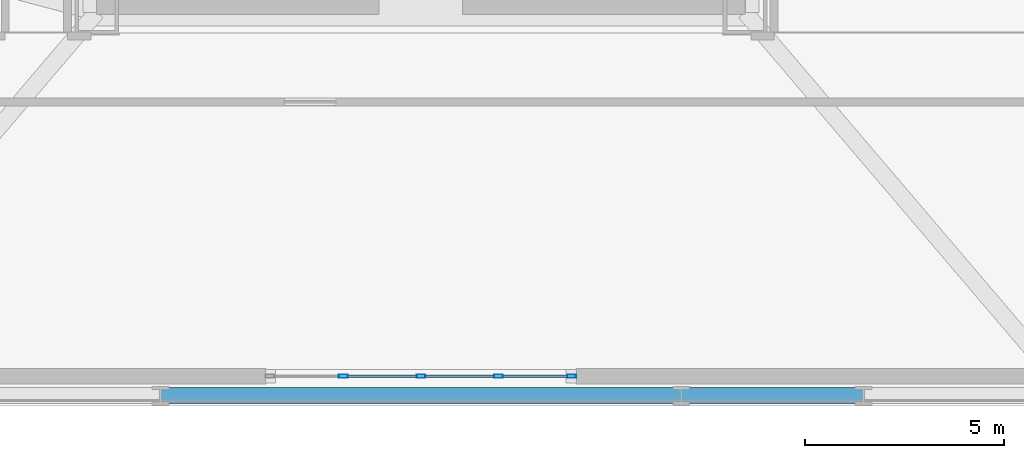
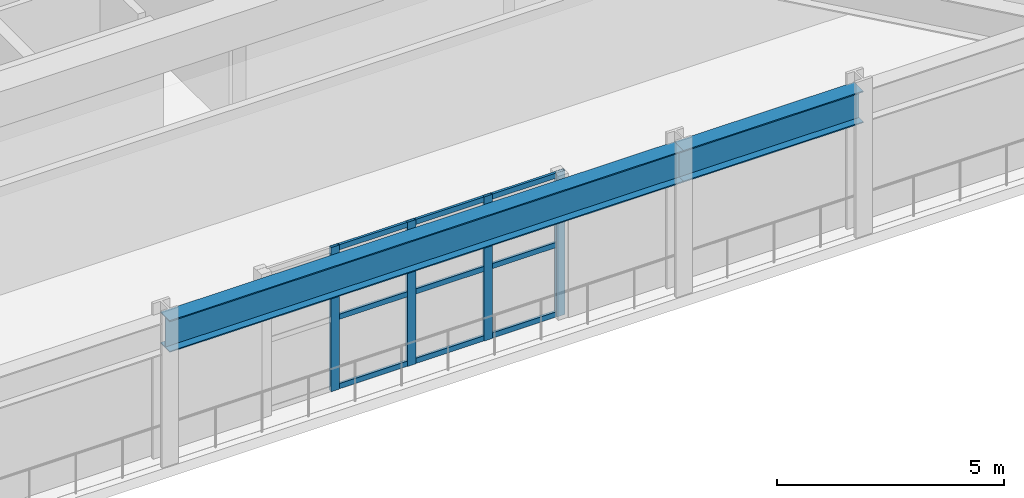
# One storey, part 4 of 22: 13 members, 2 beams, 1 element without a shape of its own.
"""IFC4 building model written with IfcOpenShell, lengths in metres."""

import ifcopenshell
import ifcopenshell.guid

model = None  # the IFC model being written
_history = None  # IfcOwnerHistory: only IFC2X3 demands one
_inside = {}  # id of a spatial element -> (the spatial element, [elements in it])
_under = {}  # id of a project, library or spatial element -> (it, [spatial elements below it])
_declared = {}  # id of a project -> (the project, [libraries it declares])
_typed = {}  # id of a type object -> (the type object, [elements of that type])
_made_of = {}  # id of a material, layer set ... -> (it, [elements and type objects made of it])


def new_model(schema):
    """Start an empty IFC model of exactly this schema.

    Asked for "IFC4X3", IfcOpenShell would pick the latest addendum, in which some entities
    have other attributes; the version numbers below select the first issue.
    IFC2X3 requires an IfcOwnerHistory on every rooted entity: one is made here for all.
    """
    global model, _history
    if schema == "IFC4X3":
        model = ifcopenshell.file(schema_version=(4, 3, 0, 0))
    else:
        model = ifcopenshell.file(schema=schema)
    _inside.clear()
    _under.clear()
    _declared.clear()
    _typed.clear()
    _made_of.clear()
    _history = None
    if model.schema == "IFC2X3":
        org = make("IfcOrganization", Name="unknown")
        user = make(
            "IfcPersonAndOrganization",
            ThePerson=make("IfcPerson", FamilyName="unknown"),
            TheOrganization=org,
        )
        app = make(
            "IfcApplication",
            ApplicationDeveloper=org,
            Version="unknown",
            ApplicationFullName="unknown",
            ApplicationIdentifier="unknown",
        )
        _history = make(
            "IfcOwnerHistory",
            OwningUser=user,
            OwningApplication=app,
            ChangeAction="ADDED",
            CreationDate=0,
        )
    return model


def make(cls, **values):
    """One entity of the class cls with the attributes given. An attribute that is None is left unset."""
    return model.create_entity(
        cls, **{name: value for name, value in values.items() if value is not None}
    )


def rooted(cls, **values):
    """An entity with a GlobalId (a new one), such as an element, a storey or a relation."""
    return make(cls, GlobalId=ifcopenshell.guid.new(), OwnerHistory=_history, **values)


def si_unit(unit_type, name, prefix=None):
    """IfcSIUnit, for example si_unit("LENGTHUNIT", "METRE", prefix="MILLI")."""
    return make("IfcSIUnit", UnitType=unit_type, Prefix=prefix, Name=name)


def assignment(units):
    """IfcUnitAssignment: the units of a project."""
    return None if units is None else make("IfcUnitAssignment", Units=units)


def point(xyz):
    """IfcCartesianPoint."""
    return None if xyz is None else make("IfcCartesianPoint", Coordinates=xyz)


def direction(xyz):
    """IfcDirection."""
    return None if xyz is None else make("IfcDirection", DirectionRatios=xyz)


def frame(location, z_axis=None, x_axis=None):
    """IfcAxis2Placement3D, a coordinate frame: its origin and axes. An axis left out is left unset."""
    return make(
        "IfcAxis2Placement3D",
        Location=point(location),
        Axis=direction(z_axis),
        RefDirection=direction(x_axis),
    )


def frame_2d(location, x_axis=None):
    """IfcAxis2Placement2D, a coordinate frame in the plane: its origin and x axis."""
    return make(
        "IfcAxis2Placement2D", Location=point(location), RefDirection=direction(x_axis)
    )


def origin():
    """The frame at (0, 0, 0) with its axes left unset."""
    return frame((0.0, 0.0, 0.0))


def origin_2d():
    """The frame at (0, 0) in the plane with its x axis left unset."""
    return frame_2d((0.0, 0.0))


def place(relative_to, where):
    """IfcLocalPlacement: puts the frame where relative to a parent placement (None: the world)."""
    return make(
        "IfcLocalPlacement", PlacementRelTo=relative_to, RelativePlacement=where
    )


def context(
    kind, dimensions, precision=None, world=None, true_north=None, identifier=None
):
    """IfcGeometricRepresentationContext, for example the 3D "Model" context."""
    return make(
        "IfcGeometricRepresentationContext",
        ContextIdentifier=identifier,
        ContextType=kind,
        CoordinateSpaceDimension=dimensions,
        Precision=precision,
        WorldCoordinateSystem=world,
        TrueNorth=true_north,
    )


def subcontext(parent, identifier, kind, view, scale=None):
    """IfcGeometricRepresentationSubContext, for example "Body" below "Model"."""
    return make(
        "IfcGeometricRepresentationSubContext",
        ContextIdentifier=identifier,
        ContextType=kind,
        ParentContext=parent,
        TargetScale=scale,
        TargetView=view,
    )


def project(units=None, contexts=None):
    """IfcProject with its units and contexts."""
    return rooted(
        "IfcProject",
        Name="project",
        RepresentationContexts=contexts,
        UnitsInContext=assignment(units),
    )


def spatial(cls, under=None, at=None, **own):
    """A site, building, storey or space (cls), placed at a placement, below another one or the project."""
    s = rooted(cls, ObjectPlacement=at, **own)
    if under is not None:
        _under.setdefault(under.id(), (under, []))[1].append(s)
    return s


def profile(cls, at=None, kind="AREA", **sizes):
    """A parametric profile (cls). Its sizes go by their IFC names, for example OverallWidth=200.0."""
    return make(cls, ProfileType=kind, Position=at, **sizes)


def hollow_rectangle(**sizes):
    """IfcRectangleHollowProfileDef."""
    return profile("IfcRectangleHollowProfileDef", **sizes)


def i_section(**sizes):
    """IfcIShapeProfileDef."""
    return profile("IfcIShapeProfileDef", **sizes)


def extrude(swept, where, along, depth):
    """IfcExtrudedAreaSolid: the profile swept, set in the frame where, extruded along a direction by depth."""
    return make(
        "IfcExtrudedAreaSolid",
        SweptArea=swept,
        Position=where,
        ExtrudedDirection=direction(along),
        Depth=depth,
    )


def shape(context_of_items, identifier, shape_type, items):
    """IfcShapeRepresentation: the items that make up one representation, for example the "Body"."""
    return make(
        "IfcShapeRepresentation",
        ContextOfItems=context_of_items,
        RepresentationIdentifier=identifier,
        RepresentationType=shape_type,
        Items=items,
    )


def material(Name=None, Category=None):
    """IfcMaterial."""
    return make("IfcMaterial", Name=Name, Category=Category)


def layer(
    of_material, thickness, ventilated=None, Name=None, Category=None, Priority=None
):
    """IfcMaterialLayer: one layer of a wall or slab, of a material (None: an air gap)."""
    return make(
        "IfcMaterialLayer",
        Material=of_material,
        LayerThickness=thickness,
        IsVentilated=ventilated,
        Name=Name,
        Category=Category,
        Priority=Priority,
    )


def layer_set(layers, Name=None):
    """IfcMaterialLayerSet."""
    return make("IfcMaterialLayerSet", MaterialLayers=layers, LayerSetName=Name)


def material_profile(
    of_material, cross_section, Name=None, Category=None, Priority=None
):
    """IfcMaterialProfile: a cross section and its material."""
    return make(
        "IfcMaterialProfile",
        Name=Name,
        Material=of_material,
        Profile=cross_section,
        Priority=Priority,
        Category=Category,
    )


def profile_set(profiles, Name=None, composite=None):
    """IfcMaterialProfileSet."""
    return make(
        "IfcMaterialProfileSet",
        Name=Name,
        MaterialProfiles=profiles,
        CompositeProfile=composite,
    )


def made_of(thing, what):
    """Note that an element or type object is made of a material, layer set ...; save() writes the relation."""
    if what is not None:
        _made_of.setdefault(what.id(), (what, []))[1].append(thing)
    return thing


def type_object(cls, material=None, **own):
    """A type object (cls), such as IfcWallType, which elements share."""
    return made_of(rooted(cls, **own), material)


def element(
    cls,
    number,
    at=None,
    inside=None,
    cuts=None,
    type_object=None,
    material=None,
    context=None,
    identifier="Body",
    shape_type=None,
    held_by="IfcProductDefinitionShape",
    body=None,
    shapes=None,
    **own,
):
    """One element of the class cls, such as IfcWall. Its Tag is "e" and its number.

    at: its placement. inside: the storey or other place that contains it. cuts: it is an
    opening in that element (IfcRelVoidsElement). A single representation is given by context,
    identifier, shape_type and body (its items); several are given by shapes. held_by: the class
    of the entity that holds the representations. save() writes the other relations.
    """
    e = rooted(cls, Tag="e%d" % number, ObjectPlacement=at, **own)
    if body is not None:
        shapes = [shape(context, identifier, shape_type, body)]
    if shapes is not None:
        e.Representation = make(held_by, Representations=shapes)
    if inside is not None:
        _inside.setdefault(inside.id(), (inside, []))[1].append(e)
    if cuts is not None:
        rooted(
            "IfcRelVoidsElement", RelatingBuildingElement=cuts, RelatedOpeningElement=e
        )
    if type_object is not None:
        _typed.setdefault(type_object.id(), (type_object, []))[1].append(e)
    return made_of(e, material)


def aggregate(whole, parts):
    """IfcRelAggregates: a whole, such as a stair, and the parts it consists of."""
    return rooted("IfcRelAggregates", RelatingObject=whole, RelatedObjects=parts)


def save(model, path):
    """Write the relations noted so far, then the file.

    IfcRelAggregates (storeys below a building ...), IfcRelContainedInSpatialStructure (elements
    in a storey), IfcRelDefinesByType, IfcRelAssociatesMaterial and IfcRelDeclares: one each for
    every whole, place, type object, material and project.
    """
    for whole, parts in _under.values():
        aggregate(whole, parts)
    for where, things in _inside.values():
        rooted(
            "IfcRelContainedInSpatialStructure",
            RelatedElements=things,
            RelatingStructure=where,
        )
    for kind, things in _typed.values():
        rooted("IfcRelDefinesByType", RelatedObjects=things, RelatingType=kind)
    for what, things in _made_of.values():
        rooted("IfcRelAssociatesMaterial", RelatedObjects=things, RelatingMaterial=what)
    for by, libraries in _declared.values():
        rooted("IfcRelDeclares", RelatingContext=by, RelatedDefinitions=libraries)
    model.write(path)


model = new_model("IFC4")

# Units and contexts
model_context = context("Model", 3, precision=1e-05, world=origin(), true_north=direction((0.0, 1.0)))
body_context = subcontext(model_context, "Body", "Model", "MODEL_VIEW")
ifc_project = project(units=[si_unit("LENGTHUNIT", "METRE"), si_unit("AREAUNIT", "SQUARE_METRE"), si_unit("VOLUMEUNIT", "CUBIC_METRE"), si_unit("PLANEANGLEUNIT", "RADIAN"), si_unit("MASSUNIT", "GRAM", prefix="KILO")], contexts=[model_context])

# Site, building, storey
site_placement = place(None, origin())
site = spatial("IfcSite", under=ifc_project, at=site_placement, CompositionType="ELEMENT")
building_placement = place(site_placement, origin())
building = spatial("IfcBuilding", under=site, at=building_placement, Name="Oramaril Tower", CompositionType="ELEMENT")
storey_placement = place(building_placement, frame((0.0, 0.0, 18.300048828125)))
storey = spatial("IfcBuildingStorey", under=building, at=storey_placement, Name="L04", CompositionType="ELEMENT", Elevation=18.300048828125)

# Beams
ifc_material_1 = material(Name="Steel ASTM A572 Gr 50", Category="steel")
ifc_material_profile_1 = material_profile(ifc_material_1, i_section(OverallWidth=0.40087890625, OverallDepth=0.85595703125, WebThickness=0.018310546875, FlangeThickness=0.029296875, at=origin_2d()), Name="W33X201")
ifc_profile_set_1 = profile_set([ifc_material_profile_1], Name="Steel ASTM A572 Gr 50")
beam_type = type_object("IfcBeamType", Name="BT-SP1", PredefinedType="SPANDREL", material=ifc_profile_set_1)
beam_1_placement = place(storey_placement, frame((30.955078125, 1.360107421875, 3.451904296875), z_axis=(1.0, 0.0, 0.0), x_axis=(0.0, 1.0, 0.0)))
element("IfcBeam", 1, at=beam_1_placement, inside=storey, type_object=beam_type, Name="L04 Perimeter Spandrel 04", PredefinedType="SPANDREL", context=body_context, shape_type="SweptSolid", body=[
    extrude(i_section(OverallWidth=0.40087890625, OverallDepth=0.85595703125, WebThickness=0.018310546875, FlangeThickness=0.029296875, at=origin_2d()), origin(), (0.0, 0.0, 1.0), 13.08984375),
])
beam_2_placement = place(storey_placement, frame((44.044921875, 1.360107421875, 3.451904296875), z_axis=(1.0, 0.0, 0.0), x_axis=(0.0, 1.0, 0.0)))
element("IfcBeam", 2, at=beam_2_placement, inside=storey, type_object=beam_type, Name="L04 Perimeter Spandrel 05", PredefinedType="SPANDREL", context=body_context, shape_type="SweptSolid", body=[
    extrude(i_section(OverallWidth=0.40087890625, OverallDepth=0.85595703125, WebThickness=0.018310546875, FlangeThickness=0.029296875, at=origin_2d()), origin(), (0.0, 0.0, 1.0), 4.581298828125),
])

# Curtain wall, members
ifc_material_2 = material(Name="Anodised Aluminium 6063-T6", Category="aluminium")
ifc_layer = layer(ifc_material_2, 0.219970703125)
ifc_layer_set = layer_set([ifc_layer], Name="CWT-SYS2")
curtain_wall_type = type_object("IfcCurtainWallType", Name="CWT-SYS2", PredefinedType="NOTDEFINED", material=ifc_layer_set)
curtain_wall_placement = place(storey_placement, origin())
curtain_wall = element("IfcCurtainWall", 3, at=curtain_wall_placement, inside=storey, type_object=curtain_wall_type, Name="L04 Unitised Curtain Wall CW-2", PredefinedType="NOTDEFINED")
ifc_material_3 = material(Name="Anodised Aluminium 6063-T6", Category="aluminium")
ifc_material_profile_2 = material_profile(ifc_material_3, hollow_rectangle(XDim=0.080078125, YDim=0.219970703125, WallThickness=0.00390625, at=origin_2d()), Name="CWM220X80")
ifc_profile_set_2 = profile_set([ifc_material_profile_2], Name="Anodised Aluminium 6063-T6")
member_type_1 = type_object("IfcMemberType", Name="MT-CWM1", PredefinedType="MULLION", material=ifc_profile_set_2)
member_1_placement = place(storey_placement, frame((35.550048828125, 1.85009765625, 0.0), z_axis=(0.0, 0.0, 1.0), x_axis=(0.0, 1.0, 0.0)))
member_1 = element("IfcMember", 4, at=member_1_placement, type_object=member_type_1, Name="CW-2 mullion 2", PredefinedType="MULLION", context=body_context, shape_type="SweptSolid", body=[
    extrude(hollow_rectangle(XDim=0.080078125, YDim=0.219970703125, WallThickness=0.00390625, at=origin_2d()), origin(), (0.0, 0.0, 1.0), 3.8798828125),
])
member_2_placement = place(storey_placement, frame((37.5, 1.85009765625, 0.0), z_axis=(0.0, 0.0, 1.0), x_axis=(0.0, 1.0, 0.0)))
member_2 = element("IfcMember", 5, at=member_2_placement, type_object=member_type_1, Name="CW-2 mullion 3", PredefinedType="MULLION", context=body_context, shape_type="SweptSolid", body=[
    extrude(hollow_rectangle(XDim=0.080078125, YDim=0.219970703125, WallThickness=0.00390625, at=origin_2d()), origin(), (0.0, 0.0, 1.0), 3.8798828125),
])
member_3_placement = place(storey_placement, frame((39.449951171875, 1.85009765625, 0.0), z_axis=(0.0, 0.0, 1.0), x_axis=(0.0, 1.0, 0.0)))
member_3 = element("IfcMember", 6, at=member_3_placement, type_object=member_type_1, Name="CW-2 mullion 4", PredefinedType="MULLION", context=body_context, shape_type="SweptSolid", body=[
    extrude(hollow_rectangle(XDim=0.080078125, YDim=0.219970703125, WallThickness=0.00390625, at=origin_2d()), origin(), (0.0, 0.0, 1.0), 3.8798828125),
])
member_4_placement = place(storey_placement, frame((41.2900390625, 1.85009765625, 0.0), z_axis=(0.0, 0.0, 1.0), x_axis=(0.0, 1.0, 0.0)))
member_4 = element("IfcMember", 7, at=member_4_placement, type_object=member_type_1, Name="CW-2 mullion 5", PredefinedType="MULLION", context=body_context, shape_type="SweptSolid", body=[
    extrude(hollow_rectangle(XDim=0.080078125, YDim=0.219970703125, WallThickness=0.00390625, at=origin_2d()), origin(), (0.0, 0.0, 1.0), 3.8798828125),
])
ifc_material_4 = material(Name="Anodised Aluminium 6063-T6", Category="aluminium")
ifc_material_profile_3 = material_profile(ifc_material_4, hollow_rectangle(XDim=0.06494140625, YDim=0.139892578125, WallThickness=0.00390625, at=origin_2d()), Name="CWT140X65")
ifc_profile_set_3 = profile_set([ifc_material_profile_3], Name="Anodised Aluminium 6063-T6")
member_type_2 = type_object("IfcMemberType", Name="MT-CWT2", PredefinedType="USERDEFINED", material=ifc_profile_set_3)
member_5_placement = place(storey_placement, frame((35.659912109375, 1.85009765625, 0.070068359375), z_axis=(1.0, 0.0, 0.0), x_axis=(0.0, 1.0, 0.0)))
member_5 = element("IfcMember", 8, at=member_5_placement, type_object=member_type_2, Name="CW-2 transom 2.1", ObjectType="TRANSOM", PredefinedType="USERDEFINED", context=body_context, shape_type="SweptSolid", body=[
    extrude(hollow_rectangle(XDim=0.06494140625, YDim=0.139892578125, WallThickness=0.00390625, at=origin_2d()), origin(), (0.0, 0.0, 1.0), 1.72998046875),
])
member_6_placement = place(storey_placement, frame((35.659912109375, 1.85009765625, 1.93994140625), z_axis=(1.0, 0.0, 0.0), x_axis=(0.0, 1.0, 0.0)))
member_6 = element("IfcMember", 9, at=member_6_placement, type_object=member_type_2, Name="CW-2 transom 2.2", ObjectType="TRANSOM", PredefinedType="USERDEFINED", context=body_context, shape_type="SweptSolid", body=[
    extrude(hollow_rectangle(XDim=0.06494140625, YDim=0.139892578125, WallThickness=0.00390625, at=origin_2d()), origin(), (0.0, 0.0, 1.0), 1.72998046875),
])
member_7_placement = place(storey_placement, frame((35.659912109375, 1.85009765625, 3.81005859375), z_axis=(1.0, 0.0, 0.0), x_axis=(0.0, 1.0, 0.0)))
member_7 = element("IfcMember", 10, at=member_7_placement, type_object=member_type_2, Name="CW-2 transom 2.3", ObjectType="TRANSOM", PredefinedType="USERDEFINED", context=body_context, shape_type="SweptSolid", body=[
    extrude(hollow_rectangle(XDim=0.06494140625, YDim=0.139892578125, WallThickness=0.00390625, at=origin_2d()), origin(), (0.0, 0.0, 1.0), 1.72998046875),
])
member_8_placement = place(storey_placement, frame((37.610107421875, 1.85009765625, 0.070068359375), z_axis=(1.0, 0.0, 0.0), x_axis=(0.0, 1.0, 0.0)))
member_8 = element("IfcMember", 11, at=member_8_placement, type_object=member_type_2, Name="CW-2 transom 3.1", ObjectType="TRANSOM", PredefinedType="USERDEFINED", context=body_context, shape_type="SweptSolid", body=[
    extrude(hollow_rectangle(XDim=0.06494140625, YDim=0.139892578125, WallThickness=0.00390625, at=origin_2d()), origin(), (0.0, 0.0, 1.0), 1.72998046875),
])
member_9_placement = place(storey_placement, frame((37.610107421875, 1.85009765625, 1.93994140625), z_axis=(1.0, 0.0, 0.0), x_axis=(0.0, 1.0, 0.0)))
member_9 = element("IfcMember", 12, at=member_9_placement, type_object=member_type_2, Name="CW-2 transom 3.2", ObjectType="TRANSOM", PredefinedType="USERDEFINED", context=body_context, shape_type="SweptSolid", body=[
    extrude(hollow_rectangle(XDim=0.06494140625, YDim=0.139892578125, WallThickness=0.00390625, at=origin_2d()), origin(), (0.0, 0.0, 1.0), 1.72998046875),
])
member_10_placement = place(storey_placement, frame((37.610107421875, 1.85009765625, 3.81005859375), z_axis=(1.0, 0.0, 0.0), x_axis=(0.0, 1.0, 0.0)))
member_10 = element("IfcMember", 13, at=member_10_placement, type_object=member_type_2, Name="CW-2 transom 3.3", ObjectType="TRANSOM", PredefinedType="USERDEFINED", context=body_context, shape_type="SweptSolid", body=[
    extrude(hollow_rectangle(XDim=0.06494140625, YDim=0.139892578125, WallThickness=0.00390625, at=origin_2d()), origin(), (0.0, 0.0, 1.0), 1.72998046875),
])
member_11_placement = place(storey_placement, frame((39.56005859375, 1.85009765625, 0.070068359375), z_axis=(1.0, 0.0, 0.0), x_axis=(0.0, 1.0, 0.0)))
member_11 = element("IfcMember", 14, at=member_11_placement, type_object=member_type_2, Name="CW-2 transom 4.1", ObjectType="TRANSOM", PredefinedType="USERDEFINED", context=body_context, shape_type="SweptSolid", body=[
    extrude(hollow_rectangle(XDim=0.06494140625, YDim=0.139892578125, WallThickness=0.00390625, at=origin_2d()), origin(), (0.0, 0.0, 1.0), 1.619873046875),
])
member_12_placement = place(storey_placement, frame((39.56005859375, 1.85009765625, 1.93994140625), z_axis=(1.0, 0.0, 0.0), x_axis=(0.0, 1.0, 0.0)))
member_12 = element("IfcMember", 15, at=member_12_placement, type_object=member_type_2, Name="CW-2 transom 4.2", ObjectType="TRANSOM", PredefinedType="USERDEFINED", context=body_context, shape_type="SweptSolid", body=[
    extrude(hollow_rectangle(XDim=0.06494140625, YDim=0.139892578125, WallThickness=0.00390625, at=origin_2d()), origin(), (0.0, 0.0, 1.0), 1.619873046875),
])
member_13_placement = place(storey_placement, frame((39.56005859375, 1.85009765625, 3.81005859375), z_axis=(1.0, 0.0, 0.0), x_axis=(0.0, 1.0, 0.0)))
member_13 = element("IfcMember", 16, at=member_13_placement, type_object=member_type_2, Name="CW-2 transom 4.3", ObjectType="TRANSOM", PredefinedType="USERDEFINED", context=body_context, shape_type="SweptSolid", body=[
    extrude(hollow_rectangle(XDim=0.06494140625, YDim=0.139892578125, WallThickness=0.00390625, at=origin_2d()), origin(), (0.0, 0.0, 1.0), 1.619873046875),
])
aggregate(curtain_wall, [member_1, member_2, member_3, member_4, member_5, member_6, member_7, member_8, member_9, member_10, member_11, member_12, member_13])

save(model, "model.ifc")
